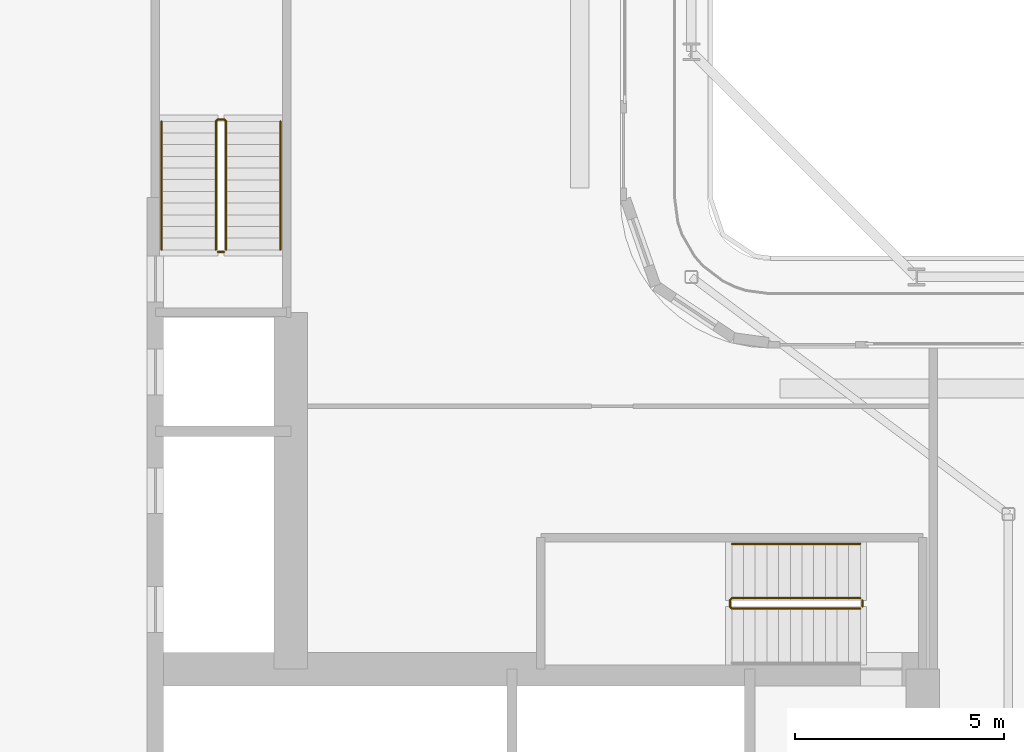
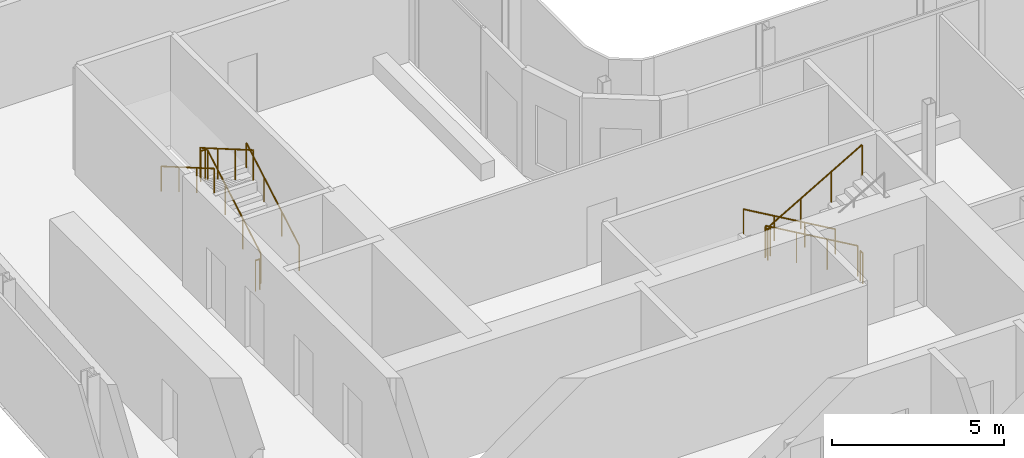
# One storey, part 19 of 24: 7 railings.
"""IFC4 building model written with IfcOpenShell, lengths in metres."""

import ifcopenshell
import ifcopenshell.guid

model = None  # the IFC model being written
_history = None  # IfcOwnerHistory: only IFC2X3 demands one
_inside = {}  # id of a spatial element -> (the spatial element, [elements in it])
_under = {}  # id of a project, library or spatial element -> (it, [spatial elements below it])
_declared = {}  # id of a project -> (the project, [libraries it declares])
_typed = {}  # id of a type object -> (the type object, [elements of that type])
_made_of = {}  # id of a material, layer set ... -> (it, [elements and type objects made of it])


def new_model(schema):
    """Start an empty IFC model of exactly this schema.

    Asked for "IFC4X3", IfcOpenShell would pick the latest addendum, in which some entities
    have other attributes; the version numbers below select the first issue.
    IFC2X3 requires an IfcOwnerHistory on every rooted entity: one is made here for all.
    """
    global model, _history
    if schema == "IFC4X3":
        model = ifcopenshell.file(schema_version=(4, 3, 0, 0))
    else:
        model = ifcopenshell.file(schema=schema)
    _inside.clear()
    _under.clear()
    _declared.clear()
    _typed.clear()
    _made_of.clear()
    _history = None
    if model.schema == "IFC2X3":
        org = make("IfcOrganization", Name="unknown")
        user = make(
            "IfcPersonAndOrganization",
            ThePerson=make("IfcPerson", FamilyName="unknown"),
            TheOrganization=org,
        )
        app = make(
            "IfcApplication",
            ApplicationDeveloper=org,
            Version="unknown",
            ApplicationFullName="unknown",
            ApplicationIdentifier="unknown",
        )
        _history = make(
            "IfcOwnerHistory",
            OwningUser=user,
            OwningApplication=app,
            ChangeAction="ADDED",
            CreationDate=0,
        )
    return model


def make(cls, **values):
    """One entity of the class cls with the attributes given. An attribute that is None is left unset."""
    return model.create_entity(
        cls, **{name: value for name, value in values.items() if value is not None}
    )


def rooted(cls, **values):
    """An entity with a GlobalId (a new one), such as an element, a storey or a relation."""
    return make(cls, GlobalId=ifcopenshell.guid.new(), OwnerHistory=_history, **values)


def si_unit(unit_type, name, prefix=None):
    """IfcSIUnit, for example si_unit("LENGTHUNIT", "METRE", prefix="MILLI")."""
    return make("IfcSIUnit", UnitType=unit_type, Prefix=prefix, Name=name)


def assignment(units):
    """IfcUnitAssignment: the units of a project."""
    return None if units is None else make("IfcUnitAssignment", Units=units)


def point(xyz):
    """IfcCartesianPoint."""
    return None if xyz is None else make("IfcCartesianPoint", Coordinates=xyz)


def direction(xyz):
    """IfcDirection."""
    return None if xyz is None else make("IfcDirection", DirectionRatios=xyz)


def frame(location, z_axis=None, x_axis=None):
    """IfcAxis2Placement3D, a coordinate frame: its origin and axes. An axis left out is left unset."""
    return make(
        "IfcAxis2Placement3D",
        Location=point(location),
        Axis=direction(z_axis),
        RefDirection=direction(x_axis),
    )


def frame_2d(location, x_axis=None):
    """IfcAxis2Placement2D, a coordinate frame in the plane: its origin and x axis."""
    return make(
        "IfcAxis2Placement2D", Location=point(location), RefDirection=direction(x_axis)
    )


def origin():
    """The frame at (0, 0, 0) with its axes left unset."""
    return frame((0.0, 0.0, 0.0))


def origin_2d():
    """The frame at (0, 0) in the plane with its x axis left unset."""
    return frame_2d((0.0, 0.0))


def place(relative_to, where):
    """IfcLocalPlacement: puts the frame where relative to a parent placement (None: the world)."""
    return make(
        "IfcLocalPlacement", PlacementRelTo=relative_to, RelativePlacement=where
    )


def context(
    kind, dimensions, precision=None, world=None, true_north=None, identifier=None
):
    """IfcGeometricRepresentationContext, for example the 3D "Model" context."""
    return make(
        "IfcGeometricRepresentationContext",
        ContextIdentifier=identifier,
        ContextType=kind,
        CoordinateSpaceDimension=dimensions,
        Precision=precision,
        WorldCoordinateSystem=world,
        TrueNorth=true_north,
    )


def subcontext(parent, identifier, kind, view, scale=None):
    """IfcGeometricRepresentationSubContext, for example "Body" below "Model"."""
    return make(
        "IfcGeometricRepresentationSubContext",
        ContextIdentifier=identifier,
        ContextType=kind,
        ParentContext=parent,
        TargetScale=scale,
        TargetView=view,
    )


def project(units=None, contexts=None):
    """IfcProject with its units and contexts."""
    return rooted(
        "IfcProject",
        Name="project",
        RepresentationContexts=contexts,
        UnitsInContext=assignment(units),
    )


def spatial(cls, under=None, at=None, **own):
    """A site, building, storey or space (cls), placed at a placement, below another one or the project."""
    s = rooted(cls, ObjectPlacement=at, **own)
    if under is not None:
        _under.setdefault(under.id(), (under, []))[1].append(s)
    return s


def profile(cls, at=None, kind="AREA", **sizes):
    """A parametric profile (cls). Its sizes go by their IFC names, for example OverallWidth=200.0."""
    return make(cls, ProfileType=kind, Position=at, **sizes)


def circle(**sizes):
    """IfcCircleProfileDef."""
    return profile("IfcCircleProfileDef", **sizes)


def extrude(swept, where, along, depth):
    """IfcExtrudedAreaSolid: the profile swept, set in the frame where, extruded along a direction by depth."""
    return make(
        "IfcExtrudedAreaSolid",
        SweptArea=swept,
        Position=where,
        ExtrudedDirection=direction(along),
        Depth=depth,
    )


def shape(context_of_items, identifier, shape_type, items):
    """IfcShapeRepresentation: the items that make up one representation, for example the "Body"."""
    return make(
        "IfcShapeRepresentation",
        ContextOfItems=context_of_items,
        RepresentationIdentifier=identifier,
        RepresentationType=shape_type,
        Items=items,
    )


def material(Name=None, Category=None):
    """IfcMaterial."""
    return make("IfcMaterial", Name=Name, Category=Category)


def made_of(thing, what):
    """Note that an element or type object is made of a material, layer set ...; save() writes the relation."""
    if what is not None:
        _made_of.setdefault(what.id(), (what, []))[1].append(thing)
    return thing


def type_object(cls, material=None, **own):
    """A type object (cls), such as IfcWallType, which elements share."""
    return made_of(rooted(cls, **own), material)


def element(
    cls,
    number,
    at=None,
    inside=None,
    cuts=None,
    type_object=None,
    material=None,
    context=None,
    identifier="Body",
    shape_type=None,
    held_by="IfcProductDefinitionShape",
    body=None,
    shapes=None,
    **own,
):
    """One element of the class cls, such as IfcWall. Its Tag is "e" and its number.

    at: its placement. inside: the storey or other place that contains it. cuts: it is an
    opening in that element (IfcRelVoidsElement). A single representation is given by context,
    identifier, shape_type and body (its items); several are given by shapes. held_by: the class
    of the entity that holds the representations. save() writes the other relations.
    """
    e = rooted(cls, Tag="e%d" % number, ObjectPlacement=at, **own)
    if body is not None:
        shapes = [shape(context, identifier, shape_type, body)]
    if shapes is not None:
        e.Representation = make(held_by, Representations=shapes)
    if inside is not None:
        _inside.setdefault(inside.id(), (inside, []))[1].append(e)
    if cuts is not None:
        rooted(
            "IfcRelVoidsElement", RelatingBuildingElement=cuts, RelatedOpeningElement=e
        )
    if type_object is not None:
        _typed.setdefault(type_object.id(), (type_object, []))[1].append(e)
    return made_of(e, material)


def aggregate(whole, parts):
    """IfcRelAggregates: a whole, such as a stair, and the parts it consists of."""
    return rooted("IfcRelAggregates", RelatingObject=whole, RelatedObjects=parts)


def save(model, path):
    """Write the relations noted so far, then the file.

    IfcRelAggregates (storeys below a building ...), IfcRelContainedInSpatialStructure (elements
    in a storey), IfcRelDefinesByType, IfcRelAssociatesMaterial and IfcRelDeclares: one each for
    every whole, place, type object, material and project.
    """
    for whole, parts in _under.values():
        aggregate(whole, parts)
    for where, things in _inside.values():
        rooted(
            "IfcRelContainedInSpatialStructure",
            RelatedElements=things,
            RelatingStructure=where,
        )
    for kind, things in _typed.values():
        rooted("IfcRelDefinesByType", RelatedObjects=things, RelatingType=kind)
    for what, things in _made_of.values():
        rooted("IfcRelAssociatesMaterial", RelatedObjects=things, RelatingMaterial=what)
    for by, libraries in _declared.values():
        rooted("IfcRelDeclares", RelatingContext=by, RelatedDefinitions=libraries)
    model.write(path)


model = new_model("IFC4")

# Units and contexts
model_context = context("Model", 3, precision=1e-05, world=origin(), true_north=direction((0.0, 1.0)))
body_context = subcontext(model_context, "Body", "Model", "MODEL_VIEW")
ifc_project = project(units=[si_unit("LENGTHUNIT", "METRE"), si_unit("AREAUNIT", "SQUARE_METRE"), si_unit("VOLUMEUNIT", "CUBIC_METRE"), si_unit("PLANEANGLEUNIT", "RADIAN"), si_unit("MASSUNIT", "GRAM", prefix="KILO")], contexts=[model_context])

# Site, building, storey
site_placement = place(None, origin())
site = spatial("IfcSite", under=ifc_project, at=site_placement, CompositionType="ELEMENT")
building_placement = place(site_placement, origin())
building = spatial("IfcBuilding", under=site, at=building_placement, Name="Kheshtan School and Residences Tower", CompositionType="ELEMENT")
storey_placement = place(building_placement, frame((0.0, 0.0, 160.39990234375)))
storey = spatial("IfcBuildingStorey", under=building, at=storey_placement, Name="L37", CompositionType="ELEMENT", Elevation=160.39990234375)

# Railings
ifc_material_1 = material(Name="Stainless steel balustrade", Category="steel")
railing_type_1 = type_object("IfcRailingType", Name="Stair guard 1100", PredefinedType="GUARDRAIL", material=ifc_material_1)
railing_1_placement = place(storey_placement, frame((51.64990234375, 37.89990234375, 0.16259765625)))
element("IfcRailing", 1, at=railing_1_placement, inside=storey, type_object=railing_type_1, Name="L37 ST1 stair guard 1", PredefinedType="GUARDRAIL", context=body_context, shape_type="SweptSolid", body=[
    extrude(circle(Radius=0.02392578125, at=origin_2d()), frame((0.0, 0.0, 1.076171875), z_axis=(-0.864873446163, 0.0, 0.501989962173), x_axis=(0.0, -1.0, 0.0)), (0.0, 0.0, 1.0), 3.56103515625),
    extrude(circle(Radius=0.02392578125, at=origin_2d()), frame((-3.079833984375, 0.0, 2.86376953125), z_axis=(-0.708833529934, -0.705375805398, 0.0), x_axis=(0.705375805398, -0.708833529934, 0.0)), (0.0, 0.0, 1.0), 0.070556640625),
    extrude(circle(Radius=0.02392578125, at=origin_2d()), frame((-3.1298828125, -0.0498046875, 2.86376953125), z_axis=(0.0, -1.0, 0.0), x_axis=(1.0, 0.0, 0.0)), (0.0, 0.0, 1.0), 0.150146484375),
    extrude(circle(Radius=0.02392578125, at=origin_2d()), frame((-3.1298828125, -0.199951171875, 2.86376953125), z_axis=(0.282583949758, -0.282583949758, 0.916674763849), x_axis=(0.707106781187, 0.707106781187, 0.0)), (0.0, 0.0, 1.0), 0.177001953125),
    extrude(circle(Radius=0.02392578125, at=origin_2d()), frame((-3.079833984375, -0.25, 3.02587890625), z_axis=(0.864873446163, 0.0, 0.501989962173), x_axis=(0.0, 1.0, 0.0)), (0.0, 0.0, 1.0), 3.56103515625),
    extrude(circle(Radius=0.02099609375, at=origin_2d()), origin(), (0.0, 0.0, 1.0), 1.052001953125),
    extrude(circle(Radius=0.02099609375, at=origin_2d()), frame((-1.026611328125, 0.0, 0.595947265625)), (0.0, 0.0, 1.0), 1.052001953125),
    extrude(circle(Radius=0.02099609375, at=origin_2d()), frame((-2.05322265625, 0.0, 1.191650390625)), (0.0, 0.0, 1.0), 1.052001953125),
    extrude(circle(Radius=0.02099609375, at=origin_2d()), frame((-3.079833984375, 0.0, 1.78759765625)), (0.0, 0.0, 1.0), 1.052001953125),
    extrude(circle(Radius=0.02099609375, at=origin_2d()), frame((-3.1298828125, -0.0498046875, 1.78759765625)), (0.0, 0.0, 1.0), 1.052001953125),
    extrude(circle(Radius=0.02099609375, at=origin_2d()), frame((-3.1298828125, -0.199951171875, 1.78759765625)), (0.0, 0.0, 1.0), 1.052001953125),
    extrude(circle(Radius=0.02099609375, at=origin_2d()), frame((-3.079833984375, -0.25, 1.949951171875)), (0.0, 0.0, 1.0), 1.052001953125),
    extrude(circle(Radius=0.02099609375, at=origin_2d()), frame((-2.05322265625, -0.25, 2.5458984375)), (0.0, 0.0, 1.0), 1.052001953125),
    extrude(circle(Radius=0.02099609375, at=origin_2d()), frame((-1.026611328125, -0.25, 3.1416015625)), (0.0, 0.0, 1.0), 1.052001953125),
    extrude(circle(Radius=0.02099609375, at=origin_2d()), frame((0.0, -0.25, 3.737548828125)), (0.0, 0.0, 1.0), 1.052001953125),
])
railing_2_placement = place(storey_placement, frame((51.699951171875, 37.85009765625, 0.0)))
element("IfcRailing", 2, at=railing_2_placement, inside=storey, type_object=railing_type_1, Name="L37 ST1 stair guard 2", PredefinedType="GUARDRAIL", context=body_context, shape_type="SweptSolid", body=[
    extrude(circle(Radius=0.02392578125, at=origin_2d()), frame((0.0, 0.0, 1.076171875), z_axis=(0.0, -1.0, 0.0), x_axis=(1.0, 0.0, 0.0)), (0.0, 0.0, 1.0), 0.150146484375),
    extrude(circle(Radius=0.02099609375, at=origin_2d()), origin(), (0.0, 0.0, 1.0), 1.052001953125),
    extrude(circle(Radius=0.02099609375, at=origin_2d()), frame((0.0, -0.150146484375, 0.0)), (0.0, 0.0, 1.0), 1.052001953125),
])
railing_3_placement = place(storey_placement, frame((36.449951171875, 46.25, 0.16259765625)))
element("IfcRailing", 3, at=railing_3_placement, inside=storey, type_object=railing_type_1, Name="L37 ST2 stair guard 1", PredefinedType="GUARDRAIL", context=body_context, shape_type="SweptSolid", body=[
    extrude(circle(Radius=0.02392578125, at=origin_2d()), frame((0.0, 0.0, 1.076171875), z_axis=(0.0, 0.864890721111, 0.501960198159), x_axis=(-1.0, 0.0, 0.0)), (0.0, 0.0, 1.0), 3.561279296875),
    extrude(circle(Radius=0.02392578125, at=origin_2d()), frame((0.0, 3.080078125, 2.86376953125), z_axis=(-0.708833529934, 0.705375805398, 0.0), x_axis=(-0.705375805398, -0.708833529934, 0.0)), (0.0, 0.0, 1.0), 0.070556640625),
    extrude(circle(Radius=0.02392578125, at=origin_2d()), frame((-0.050048828125, 3.1298828125, 2.86376953125), z_axis=(-1.0, 0.0, 0.0), x_axis=(0.0, -1.0, 0.0)), (0.0, 0.0, 1.0), 0.14990234375),
    extrude(circle(Radius=0.02392578125, at=origin_2d()), frame((-0.199951171875, 3.1298828125, 2.86376953125), z_axis=(-0.282693820306, -0.281314826061, 0.917031173188), x_axis=(0.705375805398, -0.708833529934, 0.0)), (0.0, 0.0, 1.0), 0.177001953125),
    extrude(circle(Radius=0.02392578125, at=origin_2d()), frame((-0.25, 3.080078125, 3.02587890625), z_axis=(0.0, -0.864890721111, 0.501960198159), x_axis=(1.0, 0.0, 0.0)), (0.0, 0.0, 1.0), 3.561279296875),
    extrude(circle(Radius=0.02099609375, at=origin_2d()), origin(), (0.0, 0.0, 1.0), 1.052001953125),
    extrude(circle(Radius=0.02099609375, at=origin_2d()), frame((0.0, 1.026611328125, 0.595947265625)), (0.0, 0.0, 1.0), 1.052001953125),
    extrude(circle(Radius=0.02099609375, at=origin_2d()), frame((0.0, 2.053466796875, 1.191650390625)), (0.0, 0.0, 1.0), 1.052001953125),
    extrude(circle(Radius=0.02099609375, at=origin_2d()), frame((0.0, 3.080078125, 1.78759765625)), (0.0, 0.0, 1.0), 1.052001953125),
    extrude(circle(Radius=0.02099609375, at=origin_2d()), frame((-0.050048828125, 3.1298828125, 1.78759765625)), (0.0, 0.0, 1.0), 1.052001953125),
    extrude(circle(Radius=0.02099609375, at=origin_2d()), frame((-0.199951171875, 3.1298828125, 1.78759765625)), (0.0, 0.0, 1.0), 1.052001953125),
    extrude(circle(Radius=0.02099609375, at=origin_2d()), frame((-0.25, 3.080078125, 1.949951171875)), (0.0, 0.0, 1.0), 1.052001953125),
    extrude(circle(Radius=0.02099609375, at=origin_2d()), frame((-0.25, 2.053466796875, 2.5458984375)), (0.0, 0.0, 1.0), 1.052001953125),
    extrude(circle(Radius=0.02099609375, at=origin_2d()), frame((-0.25, 1.026611328125, 3.1416015625)), (0.0, 0.0, 1.0), 1.052001953125),
    extrude(circle(Radius=0.02099609375, at=origin_2d()), frame((-0.25, 0.0, 3.737548828125)), (0.0, 0.0, 1.0), 1.052001953125),
])
railing_4_placement = place(storey_placement, frame((36.39990234375, 46.199951171875, 0.0)))
element("IfcRailing", 4, at=railing_4_placement, inside=storey, type_object=railing_type_1, Name="L37 ST2 stair guard 2", PredefinedType="GUARDRAIL", context=body_context, shape_type="SweptSolid", body=[
    extrude(circle(Radius=0.02392578125, at=origin_2d()), frame((0.0, 0.0, 1.076171875), z_axis=(-1.0, 0.0, 0.0), x_axis=(0.0, -1.0, 0.0)), (0.0, 0.0, 1.0), 0.14990234375),
    extrude(circle(Radius=0.02099609375, at=origin_2d()), origin(), (0.0, 0.0, 1.0), 1.052001953125),
    extrude(circle(Radius=0.02099609375, at=origin_2d()), frame((-0.14990234375, 0.0, 0.0)), (0.0, 0.0, 1.0), 1.052001953125),
])
ifc_material_2 = material(Name="Stainless steel handrail", Category="steel")
railing_type_2 = type_object("IfcRailingType", Name="Stair handrail 900", PredefinedType="HANDRAIL", material=ifc_material_2)
railing_5_placement = place(storey_placement, frame((51.64990234375, 39.199951171875, 0.16259765625)))
element("IfcRailing", 5, at=railing_5_placement, inside=storey, type_object=railing_type_2, Name="L37 ST1 stair handrail 1", PredefinedType="HANDRAIL", context=body_context, shape_type="SweptSolid", body=[
    extrude(circle(Radius=0.02392578125, at=origin_2d()), frame((0.0, 0.0, 0.8759765625), z_axis=(-0.864873446163, 0.0, 0.501989962173), x_axis=(0.0, -1.0, 0.0)), (0.0, 0.0, 1.0), 3.56103515625),
    extrude(circle(Radius=0.02099609375, at=origin_2d()), origin(), (0.0, 0.0, 1.0), 0.851806640625),
    extrude(circle(Radius=0.02099609375, at=origin_2d()), frame((-1.026611328125, 0.0, 0.595947265625)), (0.0, 0.0, 1.0), 0.851806640625),
    extrude(circle(Radius=0.02099609375, at=origin_2d()), frame((-2.05322265625, 0.0, 1.191650390625)), (0.0, 0.0, 1.0), 0.851806640625),
    extrude(circle(Radius=0.02099609375, at=origin_2d()), frame((-3.079833984375, 0.0, 1.78759765625)), (0.0, 0.0, 1.0), 0.851806640625),
])
railing_6_placement = place(storey_placement, frame((37.75, 46.25, 0.16259765625)))
element("IfcRailing", 6, at=railing_6_placement, inside=storey, type_object=railing_type_2, Name="L37 ST2 stair handrail 1", PredefinedType="HANDRAIL", context=body_context, shape_type="SweptSolid", body=[
    extrude(circle(Radius=0.02392578125, at=origin_2d()), frame((0.0, 0.0, 0.8759765625), z_axis=(0.0, 0.864890721111, 0.501960198159), x_axis=(-1.0, 0.0, 0.0)), (0.0, 0.0, 1.0), 3.561279296875),
    extrude(circle(Radius=0.02099609375, at=origin_2d()), origin(), (0.0, 0.0, 1.0), 0.851806640625),
    extrude(circle(Radius=0.02099609375, at=origin_2d()), frame((0.0, 1.026611328125, 0.595947265625)), (0.0, 0.0, 1.0), 0.851806640625),
    extrude(circle(Radius=0.02099609375, at=origin_2d()), frame((0.0, 2.053466796875, 1.191650390625)), (0.0, 0.0, 1.0), 0.851806640625),
    extrude(circle(Radius=0.02099609375, at=origin_2d()), frame((0.0, 3.080078125, 1.78759765625)), (0.0, 0.0, 1.0), 0.851806640625),
])
railing_7_placement = place(storey_placement, frame((34.89990234375, 49.330078125, 2.112548828125)))
element("IfcRailing", 7, at=railing_7_placement, inside=storey, type_object=railing_type_2, Name="L37 ST2 stair handrail 2", PredefinedType="HANDRAIL", context=body_context, shape_type="SweptSolid", body=[
    extrude(circle(Radius=0.02392578125, at=origin_2d()), frame((0.0, 0.0, 0.8759765625), z_axis=(0.0, -0.864890721111, 0.501960198159), x_axis=(1.0, 0.0, 0.0)), (0.0, 0.0, 1.0), 3.561279296875),
    extrude(circle(Radius=0.02099609375, at=origin_2d()), origin(), (0.0, 0.0, 1.0), 0.851806640625),
    extrude(circle(Radius=0.02099609375, at=origin_2d()), frame((0.0, -1.026611328125, 0.595947265625)), (0.0, 0.0, 1.0), 0.851806640625),
    extrude(circle(Radius=0.02099609375, at=origin_2d()), frame((0.0, -2.053466796875, 1.191650390625)), (0.0, 0.0, 1.0), 0.851806640625),
    extrude(circle(Radius=0.02099609375, at=origin_2d()), frame((0.0, -3.080078125, 1.78759765625)), (0.0, 0.0, 1.0), 0.851806640625),
])

save(model, "model.ifc")
